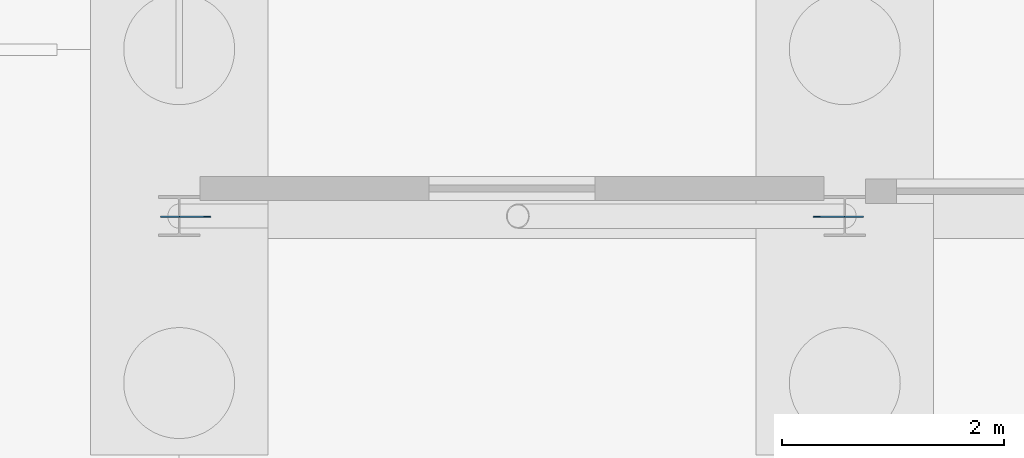
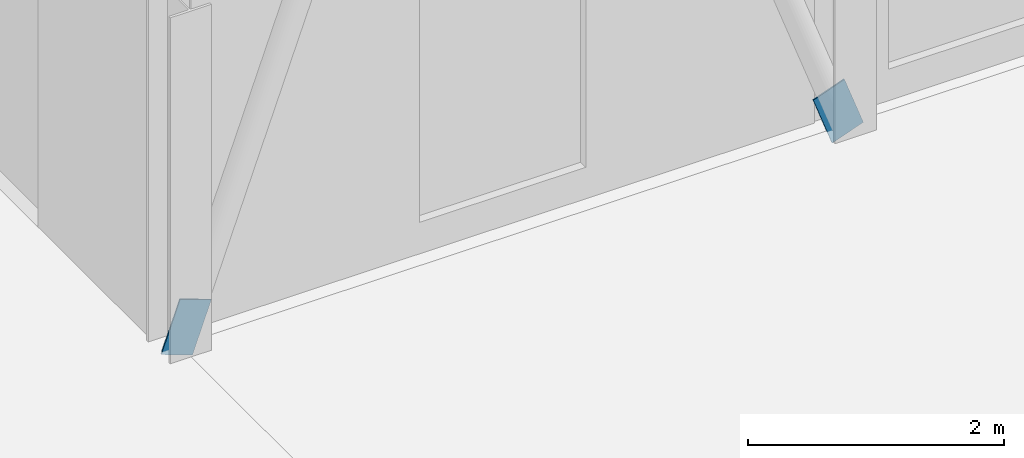
# One storey, part 102 of 130: 2 discrete accessories.
"""IFC4 building model written with IfcOpenShell, lengths in metres."""

from ifc_helpers import new_model, si_unit, direction, frame, origin, place, context, subcontext, project, spatial, polyline, outline, extrude, material, layer, layer_set, type_object, element, save


model = new_model("IFC4")

# Units and contexts
model_context = context("Model", 3, precision=1e-05, world=origin(), true_north=direction((0.0, 1.0)))
body_context = subcontext(model_context, "Body", "Model", "MODEL_VIEW")
ifc_project = project(units=[si_unit("LENGTHUNIT", "METRE"), si_unit("AREAUNIT", "SQUARE_METRE"), si_unit("VOLUMEUNIT", "CUBIC_METRE"), si_unit("PLANEANGLEUNIT", "RADIAN"), si_unit("MASSUNIT", "GRAM", prefix="KILO")], contexts=[model_context])

# Site, building, storey
site_placement = place(None, origin())
site = spatial("IfcSite", under=ifc_project, at=site_placement, CompositionType="ELEMENT")
building_placement = place(site_placement, origin())
building = spatial("IfcBuilding", under=site, at=building_placement, Name="Parallax Yard Mobility Hub", CompositionType="ELEMENT")
storey_placement = place(building_placement, origin())
storey = spatial("IfcBuildingStorey", under=building, at=storey_placement, Name="L00", CompositionType="ELEMENT", Elevation=0.0)

# Discrete accessories
ifc_material = material(Name="Steel ASTM A36", Category="steel")
ifc_layer = layer(ifc_material, 0.011962890625)
ifc_layer_set = layer_set([ifc_layer], Name="Gusset plate PL12")
discrete_accessory_type = type_object("IfcDiscreteAccessoryType", Name="Gusset plate PL12", PredefinedType="BRACKET", material=ifc_layer_set)
discrete_accessory_1_placement = place(storey_placement, frame((9.28369140625, 7.5, 0.3427734375), z_axis=(0.0, 1.0, 0.0), x_axis=(-0.341507347771, 0.0, -0.939879104682)))
element("IfcDiscreteAccessory", 1, at=discrete_accessory_1_placement, inside=storey, type_object=discrete_accessory_type, Name="Gusset plate PL12 at end 1 of X brace west end bay south face level 0 1", PredefinedType="BRACKET", context=body_context, shape_type="SweptSolid", body=[
    extrude(outline(polyline([(0.0, 0.0), (0.4989941134860528, 0.0), (0.4991276581332899, 0.2991920898345452), (-0.00017929384213138944, 0.2990460029798305), (0.0, 0.0)])), origin(), (0.0, 0.0, -1.0), 0.011962890625),
])
discrete_accessory_2_placement = place(storey_placement, frame((14.997314453125, 7.5, 0.445068359375), z_axis=(0.0, 1.0, 0.0), x_axis=(0.341782322268, 0.0, -0.939779146494)))
element("IfcDiscreteAccessory", 2, at=discrete_accessory_2_placement, inside=storey, type_object=discrete_accessory_type, Name="Gusset plate PL12 at end 1 of X brace west end bay south face level 0 2 (half 1)", PredefinedType="BRACKET", context=body_context, shape_type="SweptSolid", body=[
    extrude(outline(polyline([(0.0, 0.0), (0.49930697334641216, 0.0), (0.49908589131067727, 0.29919203795634136), (9.179918222466943e-05, 0.29904604263792683), (0.0, 0.0)])), origin(), (0.0, 0.0, -1.0), 0.011962890625),
])

save(model, "model.ifc")
